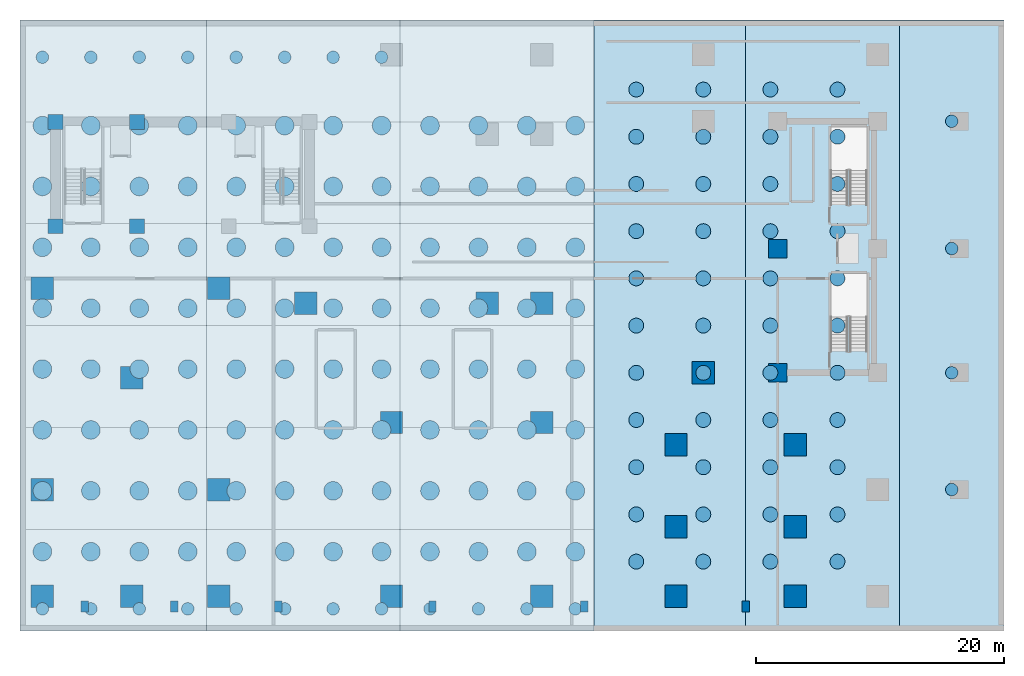
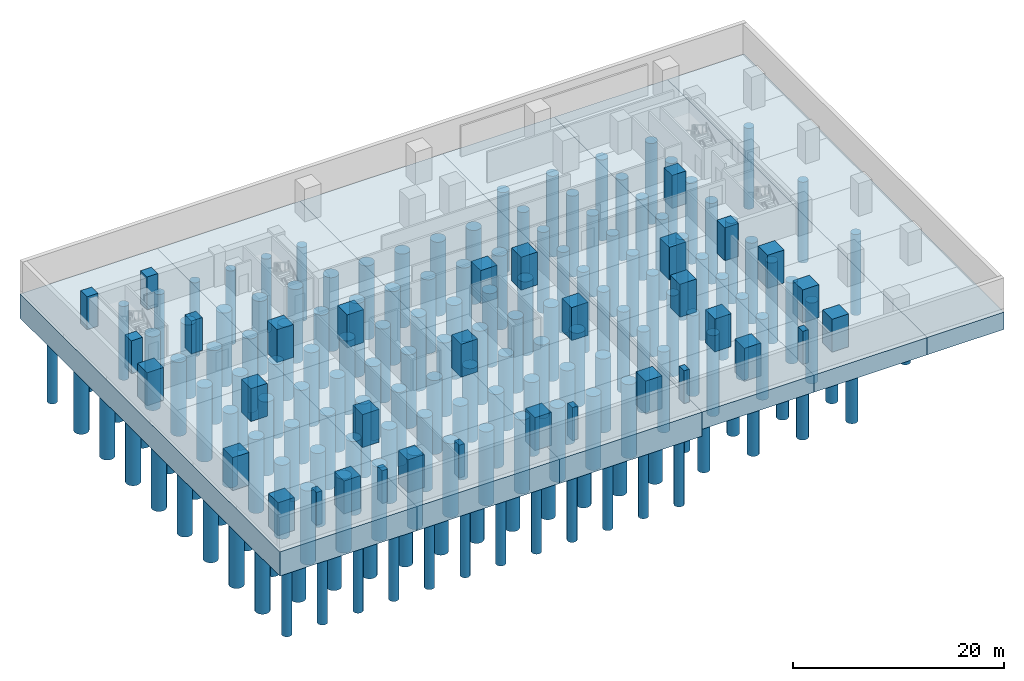
# One storey, part 1 of 7: 164 piles, 34 columns, 6 footings.
"""IFC4 building model written with IfcOpenShell, lengths in metres."""

from ifc_helpers import new_model, si_unit, direction, frame, origin, origin_2d, place, context, subcontext, project, spatial, polyline, rectangle, circle, outline, extrude, material, layer, layer_set, material_profile, profile_set, type_object, element, save


model = new_model("IFC4")

# Units and contexts
model_context = context("Model", 3, precision=1e-05, world=origin(), true_north=direction((0.0, 1.0)))
body_context = subcontext(model_context, "Body", "Model", "MODEL_VIEW")
ifc_project = project(units=[si_unit("LENGTHUNIT", "METRE"), si_unit("AREAUNIT", "SQUARE_METRE"), si_unit("VOLUMEUNIT", "CUBIC_METRE"), si_unit("PLANEANGLEUNIT", "RADIAN"), si_unit("MASSUNIT", "GRAM", prefix="KILO")], contexts=[model_context])

# Site, building, storey
site_placement = place(None, origin())
site = spatial("IfcSite", under=ifc_project, at=site_placement, CompositionType="ELEMENT")
building_placement = place(site_placement, origin())
building = spatial("IfcBuilding", under=site, at=building_placement, Name="Kuzgunbayir Cultural Tower", CompositionType="ELEMENT")
storey_placement = place(building_placement, frame((0.0, 0.0, -11.39990234375)))
storey = spatial("IfcBuildingStorey", under=building, at=storey_placement, Name="B03", CompositionType="ELEMENT", Elevation=-11.39990234375)

# Footings
ifc_material_1 = material(Name="Concrete C40/50", Category="concrete")
ifc_layer_1 = layer(ifc_material_1, 2.0)
ifc_layer_set_1 = layer_set([ifc_layer_1], Name="Concrete C40/50")
footing_type_1 = type_object("IfcFootingType", Name="FND-RAFT-200", PredefinedType="CAISSON_FOUNDATION", material=ifc_layer_set_1)
footing_1_placement = place(storey_placement, frame((0.0, 0.0, -2.400146484375)))
element("IfcFooting", 1, at=footing_1_placement, inside=storey, type_object=footing_type_1, Name="Tower 2 and Substructure Foundation Raft Zone 1", PredefinedType="CAISSON_FOUNDATION", context=body_context, shape_type="SweptSolid", body=[
    extrude(outline(polyline([(49.800048828125, 1.199951171875), (62.0, 1.199951171875), (62.0, 50.39990234375), (49.800048828125, 50.39990234375), (49.800048828125, 1.199951171875)])), origin(), (0.0, 0.0, 1.0), 2.0),
])
footing_2_placement = place(storey_placement, frame((0.0, 0.0, -2.400146484375)))
element("IfcFooting", 2, at=footing_2_placement, inside=storey, type_object=footing_type_1, Name="Tower 2 and Substructure Foundation Raft Zone 2", PredefinedType="CAISSON_FOUNDATION", context=body_context, shape_type="SweptSolid", body=[
    extrude(outline(polyline([(62.0, 1.199951171875), (74.39990234375, 1.199951171875), (74.39990234375, 50.39990234375), (62.0, 50.39990234375), (62.0, 1.199951171875)])), origin(), (0.0, 0.0, 1.0), 2.0),
])
footing_3_placement = place(storey_placement, frame((0.0, 0.0, -2.400146484375)))
element("IfcFooting", 3, at=footing_3_placement, inside=storey, type_object=footing_type_1, Name="Tower 2 and Substructure Foundation Raft Zone 3", PredefinedType="CAISSON_FOUNDATION", context=body_context, shape_type="SweptSolid", body=[
    extrude(outline(polyline([(74.39990234375, 1.199951171875), (82.800048828125, 1.199951171875), (82.800048828125, 50.39990234375), (74.39990234375, 50.39990234375), (74.39990234375, 1.199951171875)])), origin(), (0.0, 0.0, 1.0), 2.0),
])
ifc_layer_2 = layer(ifc_material_1, 2.800048828125)
ifc_layer_set_2 = layer_set([ifc_layer_2], Name="Concrete C40/50")
footing_type_2 = type_object("IfcFootingType", Name="FND-RAFT-280", PredefinedType="CAISSON_FOUNDATION", material=ifc_layer_set_2)
footing_4_placement = place(storey_placement, frame((0.0, 0.0, -3.2001953125)))
element("IfcFooting", 4, at=footing_4_placement, inside=storey, type_object=footing_type_2, Name="Tower 1 Piled Foundation Raft Zone 1", PredefinedType="CAISSON_FOUNDATION", context=body_context, shape_type="SweptSolid", body=[
    extrude(outline(polyline([(3.60009765625, 1.199951171875), (18.60009765625, 1.199951171875), (18.60009765625, 50.39990234375), (3.60009765625, 50.39990234375), (3.60009765625, 1.199951171875)])), origin(), (0.0, 0.0, 1.0), 2.800048828125),
])
footing_5_placement = place(storey_placement, frame((0.0, 0.0, -3.2001953125)))
element("IfcFooting", 5, at=footing_5_placement, inside=storey, type_object=footing_type_2, Name="Tower 1 Piled Foundation Raft Zone 2", PredefinedType="CAISSON_FOUNDATION", context=body_context, shape_type="SweptSolid", body=[
    extrude(outline(polyline([(18.60009765625, 1.199951171875), (34.199951171875, 1.199951171875), (34.199951171875, 50.39990234375), (18.60009765625, 50.39990234375), (18.60009765625, 1.199951171875)])), origin(), (0.0, 0.0, 1.0), 2.800048828125),
])
footing_6_placement = place(storey_placement, frame((0.0, 0.0, -3.2001953125)))
element("IfcFooting", 6, at=footing_6_placement, inside=storey, type_object=footing_type_2, Name="Tower 1 Piled Foundation Raft Zone 3", PredefinedType="CAISSON_FOUNDATION", context=body_context, shape_type="SweptSolid", body=[
    extrude(outline(polyline([(34.199951171875, 1.199951171875), (49.800048828125, 1.199951171875), (49.800048828125, 50.39990234375), (34.199951171875, 50.39990234375), (34.199951171875, 1.199951171875)])), origin(), (0.0, 0.0, 1.0), 2.800048828125),
])

# Piles
ifc_material_profile_1 = material_profile(ifc_material_1, circle(Radius=0.75, at=origin_2d()), Name="BORED PILE 1500")
ifc_profile_set_1 = profile_set([ifc_material_profile_1], Name="Concrete C40/50")
pile_type_1 = type_object("IfcPileType", Name="PILE-P1", PredefinedType="BORED", material=ifc_profile_set_1)
for number, where, z_axis, x_axis, name in (
    (7, (5.39990234375, 7.60009765625, -3.050048828125), (0.0, 0.0, -1.0), (1.0, 0.0, 0.0), "Bored Pile PILE-P1-001"),
    (8, (5.39990234375, 12.5, -3.050048828125), (0.0, 0.0, -1.0), (1.0, 0.0, 0.0), "Bored Pile PILE-P1-002"),
    (9, (5.39990234375, 17.39990234375, -3.050048828125), (0.0, 0.0, -1.0), (1.0, 0.0, 0.0), "Bored Pile PILE-P1-003"),
    (10, (5.39990234375, 22.300048828125, -3.050048828125), (0.0, 0.0, -1.0), (1.0, 0.0, 0.0), "Bored Pile PILE-P1-004"),
    (11, (5.39990234375, 27.199951171875, -3.050048828125), (0.0, 0.0, -1.0), (1.0, 0.0, 0.0), "Bored Pile PILE-P1-005"),
    (12, (5.39990234375, 32.10009765625, -3.050048828125), (0.0, 0.0, -1.0), (1.0, 0.0, 0.0), "Bored Pile PILE-P1-006"),
    (13, (5.39990234375, 37.0, -3.050048828125), (0.0, 0.0, -1.0), (1.0, 0.0, 0.0), "Bored Pile PILE-P1-007"),
    (14, (5.39990234375, 41.89990234375, -3.050048828125), (0.0, 0.0, -1.0), (1.0, 0.0, 0.0), "Bored Pile PILE-P1-008"),
    (15, (9.300048828125, 7.60009765625, -3.050048828125), (0.0, 0.0, -1.0), (1.0, 0.0, 0.0), "Bored Pile PILE-P1-009"),
    (16, (9.300048828125, 12.5, -3.050048828125), (0.0, 0.0, -1.0), (1.0, 0.0, 0.0), "Bored Pile PILE-P1-010"),
    (17, (9.300048828125, 17.39990234375, -3.050048828125), (0.0, 0.0, -1.0), (1.0, 0.0, 0.0), "Bored Pile PILE-P1-011"),
    (18, (9.300048828125, 22.300048828125, -3.050048828125), (0.0, 0.0, -1.0), (1.0, 0.0, 0.0), "Bored Pile PILE-P1-012"),
    (19, (9.300048828125, 27.199951171875, -3.050048828125), (0.0, 0.0, -1.0), (1.0, 0.0, 0.0), "Bored Pile PILE-P1-013"),
    (20, (9.300048828125, 32.10009765625, -3.050048828125), (0.0, 0.0, -1.0), (1.0, 0.0, 0.0), "Bored Pile PILE-P1-014"),
    (21, (9.300048828125, 37.0, -3.050048828125), (0.0, 0.0, -1.0), (1.0, 0.0, 0.0), "Bored Pile PILE-P1-015"),
    (22, (9.300048828125, 41.89990234375, -3.050048828125), (0.0, 0.0, -1.0), (1.0, 0.0, 0.0), "Bored Pile PILE-P1-016"),
    (23, (13.199951171875, 7.60009765625, -3.050048828125), (0.0, 0.0, -1.0), (1.0, 0.0, 0.0), "Bored Pile PILE-P1-017"),
    (24, (13.199951171875, 12.5, -3.050048828125), (0.0, 0.0, -1.0), (1.0, 0.0, 0.0), "Bored Pile PILE-P1-018"),
    (25, (13.199951171875, 17.39990234375, -3.050048828125), (0.0, 0.0, -1.0), (1.0, 0.0, 0.0), "Bored Pile PILE-P1-019"),
    (26, (13.199951171875, 22.300048828125, -3.050048828125), (0.0, 0.0, -1.0), (1.0, 0.0, 0.0), "Bored Pile PILE-P1-020"),
    (27, (13.199951171875, 27.199951171875, -3.050048828125), (0.0, 0.0, -1.0), (1.0, 0.0, 0.0), "Bored Pile PILE-P1-021"),
    (28, (13.199951171875, 32.10009765625, -3.050048828125), (0.0, 0.0, -1.0), (1.0, 0.0, 0.0), "Bored Pile PILE-P1-022"),
    (29, (13.199951171875, 37.0, -3.050048828125), (0.0, 0.0, -1.0), (1.0, 0.0, 0.0), "Bored Pile PILE-P1-023"),
    (30, (13.199951171875, 41.89990234375, -3.050048828125), (0.0, 0.0, -1.0), (1.0, 0.0, 0.0), "Bored Pile PILE-P1-024"),
    (31, (17.10009765625, 7.60009765625, -3.050048828125), (0.0, 0.0, -1.0), (1.0, 0.0, 0.0), "Bored Pile PILE-P1-025"),
    (32, (17.10009765625, 12.5, -3.050048828125), (0.0, 0.0, -1.0), (1.0, 0.0, 0.0), "Bored Pile PILE-P1-026"),
    (33, (17.10009765625, 17.39990234375, -3.050048828125), (0.0, 0.0, -1.0), (1.0, 0.0, 0.0), "Bored Pile PILE-P1-027"),
    (34, (17.10009765625, 22.300048828125, -3.050048828125), (0.0, 0.0, -1.0), (1.0, 0.0, 0.0), "Bored Pile PILE-P1-028"),
    (35, (17.10009765625, 27.199951171875, -3.050048828125), (0.0, 0.0, -1.0), (1.0, 0.0, 0.0), "Bored Pile PILE-P1-029"),
    (36, (17.10009765625, 32.10009765625, -3.050048828125), (0.0, 0.0, -1.0), (1.0, 0.0, 0.0), "Bored Pile PILE-P1-030"),
    (37, (17.10009765625, 37.0, -3.050048828125), (0.0, 0.0, -1.0), (1.0, 0.0, 0.0), "Bored Pile PILE-P1-031"),
    (38, (17.10009765625, 41.89990234375, -3.050048828125), (0.0, 0.0, -1.0), (1.0, 0.0, 0.0), "Bored Pile PILE-P1-032"),
    (39, (21.0, 7.60009765625, -3.050048828125), (0.0, 0.0, -1.0), (1.0, 0.0, 0.0), "Bored Pile PILE-P1-033"),
    (40, (21.0, 12.5, -3.050048828125), (0.0, 0.0, -1.0), (1.0, 0.0, 0.0), "Bored Pile PILE-P1-034"),
    (41, (21.0, 17.39990234375, -3.050048828125), (0.0, 0.0, -1.0), (1.0, 0.0, 0.0), "Bored Pile PILE-P1-035"),
    (42, (21.0, 22.300048828125, -3.050048828125), (0.0, 0.0, -1.0), (1.0, 0.0, 0.0), "Bored Pile PILE-P1-036"),
    (43, (21.0, 27.199951171875, -3.050048828125), (0.0, 0.0, -1.0), (1.0, 0.0, 0.0), "Bored Pile PILE-P1-037"),
    (44, (21.0, 32.10009765625, -3.050048828125), (0.0, 0.0, -1.0), (1.0, 0.0, 0.0), "Bored Pile PILE-P1-038"),
    (45, (21.0, 37.0, -3.050048828125), (0.0, 0.0, -1.0), (1.0, 0.0, 0.0), "Bored Pile PILE-P1-039"),
    (46, (21.0, 41.89990234375, -3.050048828125), (0.0, 0.0, -1.0), (1.0, 0.0, 0.0), "Bored Pile PILE-P1-040"),
    (47, (24.89990234375, 7.60009765625, -3.050048828125), (0.0, 0.0, -1.0), (1.0, 0.0, 0.0), "Bored Pile PILE-P1-041"),
    (48, (24.89990234375, 12.5, -3.050048828125), (0.0, 0.0, -1.0), (1.0, 0.0, 0.0), "Bored Pile PILE-P1-042"),
    (49, (24.89990234375, 17.39990234375, -3.050048828125), (0.0, 0.0, -1.0), (1.0, 0.0, 0.0), "Bored Pile PILE-P1-043"),
    (50, (24.89990234375, 22.300048828125, -3.050048828125), (0.0, 0.0, -1.0), (1.0, 0.0, 0.0), "Bored Pile PILE-P1-044"),
    (51, (24.89990234375, 27.199951171875, -3.050048828125), (0.0, 0.0, -1.0), (1.0, 0.0, 0.0), "Bored Pile PILE-P1-045"),
    (52, (24.89990234375, 32.10009765625, -3.050048828125), (0.0, 0.0, -1.0), (1.0, 0.0, 0.0), "Bored Pile PILE-P1-046"),
    (53, (24.89990234375, 37.0, -3.050048828125), (0.0, 0.0, -1.0), (1.0, 0.0, 0.0), "Bored Pile PILE-P1-047"),
    (54, (24.89990234375, 41.89990234375, -3.050048828125), (0.0, 0.0, -1.0), (1.0, 0.0, 0.0), "Bored Pile PILE-P1-048"),
    (55, (28.800048828125, 7.60009765625, -3.050048828125), (0.0, 0.0, -1.0), (1.0, 0.0, 0.0), "Bored Pile PILE-P1-049"),
    (56, (28.800048828125, 12.5, -3.050048828125), (0.0, 0.0, -1.0), (1.0, 0.0, 0.0), "Bored Pile PILE-P1-050"),
    (57, (28.800048828125, 17.39990234375, -3.050048828125), (0.0, 0.0, -1.0), (1.0, 0.0, 0.0), "Bored Pile PILE-P1-051"),
    (58, (28.800048828125, 22.300048828125, -3.050048828125), (0.0, 0.0, -1.0), (1.0, 0.0, 0.0), "Bored Pile PILE-P1-052"),
    (59, (28.800048828125, 27.199951171875, -3.050048828125), (0.0, 0.0, -1.0), (1.0, 0.0, 0.0), "Bored Pile PILE-P1-053"),
    (60, (28.800048828125, 32.10009765625, -3.050048828125), (0.0, 0.0, -1.0), (1.0, 0.0, 0.0), "Bored Pile PILE-P1-054"),
    (61, (28.800048828125, 37.0, -3.050048828125), (0.0, 0.0, -1.0), (1.0, 0.0, 0.0), "Bored Pile PILE-P1-055"),
    (62, (28.800048828125, 41.89990234375, -3.050048828125), (0.0, 0.0, -1.0), (1.0, 0.0, 0.0), "Bored Pile PILE-P1-056"),
    (63, (32.699951171875, 7.60009765625, -3.050048828125), (0.0, 0.0, -1.0), (1.0, 0.0, 0.0), "Bored Pile PILE-P1-057"),
    (64, (32.699951171875, 12.5, -3.050048828125), (0.0, 0.0, -1.0), (1.0, 0.0, 0.0), "Bored Pile PILE-P1-058"),
    (65, (32.699951171875, 17.39990234375, -3.050048828125), (0.0, 0.0, -1.0), (1.0, 0.0, 0.0), "Bored Pile PILE-P1-059"),
    (66, (32.699951171875, 22.300048828125, -3.050048828125), (0.0, 0.0, -1.0), (1.0, 0.0, 0.0), "Bored Pile PILE-P1-060"),
    (67, (32.699951171875, 27.199951171875, -3.050048828125), (0.0, 0.0, -1.0), (1.0, 0.0, 0.0), "Bored Pile PILE-P1-061"),
    (68, (32.699951171875, 32.10009765625, -3.050048828125), (0.0, 0.0, -1.0), (1.0, 0.0, 0.0), "Bored Pile PILE-P1-062"),
    (69, (32.699951171875, 37.0, -3.050048828125), (0.0, 0.0, -1.0), (1.0, 0.0, 0.0), "Bored Pile PILE-P1-063"),
    (70, (32.699951171875, 41.89990234375, -3.050048828125), (0.0, 0.0, -1.0), (1.0, 0.0, 0.0), "Bored Pile PILE-P1-064"),
    (71, (36.60009765625, 7.60009765625, -3.050048828125), (0.0, 0.0, -1.0), (1.0, 0.0, 0.0), "Bored Pile PILE-P1-065"),
    (72, (36.60009765625, 12.5, -3.050048828125), (0.0, 0.0, -1.0), (1.0, 0.0, 0.0), "Bored Pile PILE-P1-066"),
    (73, (36.60009765625, 17.39990234375, -3.050048828125), (0.0, 0.0, -1.0), (1.0, 0.0, 0.0), "Bored Pile PILE-P1-067"),
    (74, (36.60009765625, 22.300048828125, -3.050048828125), (0.0, 0.0, -1.0), (1.0, 0.0, 0.0), "Bored Pile PILE-P1-068"),
    (75, (36.60009765625, 27.199951171875, -3.050048828125), (0.0, 0.0, -1.0), (1.0, 0.0, 0.0), "Bored Pile PILE-P1-069"),
    (76, (36.60009765625, 32.10009765625, -3.050048828125), (0.0, 0.0, -1.0), (1.0, 0.0, 0.0), "Bored Pile PILE-P1-070"),
    (77, (36.60009765625, 37.0, -3.050048828125), (0.0, 0.0, -1.0), (1.0, 0.0, 0.0), "Bored Pile PILE-P1-071"),
    (78, (36.60009765625, 41.89990234375, -3.050048828125), (0.0, 0.0, -1.0), (1.0, 0.0, 0.0), "Bored Pile PILE-P1-072"),
    (79, (40.5, 7.60009765625, -3.050048828125), (0.0, 0.0, -1.0), (1.0, 0.0, 0.0), "Bored Pile PILE-P1-073"),
    (80, (40.5, 12.5, -3.050048828125), (0.0, 0.0, -1.0), (1.0, 0.0, 0.0), "Bored Pile PILE-P1-074"),
    (81, (40.5, 17.39990234375, -3.050048828125), (0.0, 0.0, -1.0), (1.0, 0.0, 0.0), "Bored Pile PILE-P1-075"),
    (82, (40.5, 22.300048828125, -3.050048828125), (0.0, 0.0, -1.0), (1.0, 0.0, 0.0), "Bored Pile PILE-P1-076"),
    (83, (40.5, 27.199951171875, -3.050048828125), (0.0, 0.0, -1.0), (1.0, 0.0, 0.0), "Bored Pile PILE-P1-077"),
    (84, (40.5, 32.10009765625, -3.050048828125), (0.0, 0.0, -1.0), (1.0, 0.0, 0.0), "Bored Pile PILE-P1-078"),
    (85, (40.5, 37.0, -3.050048828125), (0.0, 0.0, -1.0), (1.0, 0.0, 0.0), "Bored Pile PILE-P1-079"),
    (86, (40.5, 41.89990234375, -3.050048828125), (0.0, 0.0, -1.0), (1.0, 0.0, 0.0), "Bored Pile PILE-P1-080"),
    (87, (44.39990234375, 7.60009765625, -3.050048828125), (0.0, 0.0, -1.0), (1.0, 0.0, 0.0), "Bored Pile PILE-P1-081"),
    (88, (44.39990234375, 12.5, -3.050048828125), (0.0, 0.0, -1.0), (1.0, 0.0, 0.0), "Bored Pile PILE-P1-082"),
    (89, (44.39990234375, 17.39990234375, -3.050048828125), (0.0, 0.0, -1.0), (1.0, 0.0, 0.0), "Bored Pile PILE-P1-083"),
    (90, (44.39990234375, 22.300048828125, -3.050048828125), (0.0, 0.0, -1.0), (1.0, 0.0, 0.0), "Bored Pile PILE-P1-084"),
    (91, (44.39990234375, 27.199951171875, -3.050048828125), (0.0, 0.0, -1.0), (1.0, 0.0, 0.0), "Bored Pile PILE-P1-085"),
    (92, (44.39990234375, 32.10009765625, -3.050048828125), (0.0, 0.0, -1.0), (1.0, 0.0, 0.0), "Bored Pile PILE-P1-086"),
    (93, (44.39990234375, 37.0, -3.050048828125), (0.0, 0.0, -1.0), (1.0, 0.0, 0.0), "Bored Pile PILE-P1-087"),
    (94, (44.39990234375, 41.89990234375, -3.050048828125), (0.0, 0.0, -1.0), (1.0, 0.0, 0.0), "Bored Pile PILE-P1-088"),
    (95, (48.300048828125, 7.60009765625, -3.050048828125), (0.0, 0.0, -1.0), (1.0, 0.0, 0.0), "Bored Pile PILE-P1-089"),
    (96, (48.300048828125, 12.5, -3.050048828125), (0.0, 0.0, -1.0), (1.0, 0.0, 0.0), "Bored Pile PILE-P1-090"),
    (97, (48.300048828125, 17.39990234375, -3.050048828125), (0.0, 0.0, -1.0), (1.0, 0.0, 0.0), "Bored Pile PILE-P1-091"),
    (98, (48.300048828125, 22.300048828125, -3.050048828125), (0.0, 0.0, -1.0), (1.0, 0.0, 0.0), "Bored Pile PILE-P1-092"),
    (99, (48.300048828125, 27.199951171875, -3.050048828125), (0.0, 0.0, -1.0), (1.0, 0.0, 0.0), "Bored Pile PILE-P1-093"),
    (100, (48.300048828125, 32.10009765625, -3.050048828125), (0.0, 0.0, -1.0), (1.0, 0.0, 0.0), "Bored Pile PILE-P1-094"),
    (101, (48.300048828125, 37.0, -3.050048828125), (0.0, 0.0, -1.0), (1.0, 0.0, 0.0), "Bored Pile PILE-P1-095"),
    (102, (48.300048828125, 41.89990234375, -3.050048828125), (0.0, 0.0, -1.0), (1.0, 0.0, 0.0), "Bored Pile PILE-P1-096"),
):
    element("IfcPile", number, at=place(storey_placement, frame(where, z_axis=z_axis, x_axis=x_axis)), inside=storey, type_object=pile_type_1, Name=name, PredefinedType="BORED", context=body_context, shape_type="SweptSolid", body=[
        extrude(circle(Radius=0.75, at=origin_2d()), origin(), (0.0, 0.0, 1.0), 8.550048828125),
    ])
ifc_material_profile_2 = material_profile(ifc_material_1, circle(Radius=0.60009765625, at=origin_2d()), Name="BORED PILE 1200")
ifc_profile_set_2 = profile_set([ifc_material_profile_2], Name="Concrete C40/50")
pile_type_2 = type_object("IfcPileType", Name="PILE-P2", PredefinedType="BORED", material=ifc_profile_set_2)
for number, where, z_axis, x_axis, name in (
    (103, (53.199951171875, 6.800048828125, -2.25), (0.0, 0.0, -1.0), (1.0, 0.0, 0.0), "Bored Pile PILE-P2-001"),
    (104, (53.199951171875, 10.60009765625, -2.25), (0.0, 0.0, -1.0), (1.0, 0.0, 0.0), "Bored Pile PILE-P2-002"),
    (105, (53.199951171875, 14.39990234375, -2.25), (0.0, 0.0, -1.0), (1.0, 0.0, 0.0), "Bored Pile PILE-P2-003"),
    (106, (53.199951171875, 18.199951171875, -2.25), (0.0, 0.0, -1.0), (1.0, 0.0, 0.0), "Bored Pile PILE-P2-004"),
    (107, (53.199951171875, 22.0, -2.25), (0.0, 0.0, -1.0), (1.0, 0.0, 0.0), "Bored Pile PILE-P2-005"),
    (108, (53.199951171875, 25.800048828125, -2.25), (0.0, 0.0, -1.0), (1.0, 0.0, 0.0), "Bored Pile PILE-P2-006"),
    (109, (53.199951171875, 29.60009765625, -2.25), (0.0, 0.0, -1.0), (1.0, 0.0, 0.0), "Bored Pile PILE-P2-007"),
    (110, (53.199951171875, 33.39990234375, -2.25), (0.0, 0.0, -1.0), (1.0, 0.0, 0.0), "Bored Pile PILE-P2-008"),
    (111, (53.199951171875, 37.199951171875, -2.25), (0.0, 0.0, -1.0), (1.0, 0.0, 0.0), "Bored Pile PILE-P2-009"),
    (112, (53.199951171875, 41.0, -2.25), (0.0, 0.0, -1.0), (1.0, 0.0, 0.0), "Bored Pile PILE-P2-010"),
    (113, (53.199951171875, 44.800048828125, -2.25), (0.0, 0.0, -1.0), (1.0, 0.0, 0.0), "Bored Pile PILE-P2-011"),
    (114, (58.60009765625, 6.800048828125, -2.25), (0.0, 0.0, -1.0), (1.0, 0.0, 0.0), "Bored Pile PILE-P2-012"),
    (115, (58.60009765625, 10.60009765625, -2.25), (0.0, 0.0, -1.0), (1.0, 0.0, 0.0), "Bored Pile PILE-P2-013"),
    (116, (58.60009765625, 14.39990234375, -2.25), (0.0, 0.0, -1.0), (1.0, 0.0, 0.0), "Bored Pile PILE-P2-014"),
    (117, (58.60009765625, 18.199951171875, -2.25), (0.0, 0.0, -1.0), (1.0, 0.0, 0.0), "Bored Pile PILE-P2-015"),
    (118, (58.60009765625, 22.0, -2.25), (0.0, 0.0, -1.0), (1.0, 0.0, 0.0), "Bored Pile PILE-P2-016"),
    (119, (58.60009765625, 25.800048828125, -2.25), (0.0, 0.0, -1.0), (1.0, 0.0, 0.0), "Bored Pile PILE-P2-017"),
    (120, (58.60009765625, 29.60009765625, -2.25), (0.0, 0.0, -1.0), (1.0, 0.0, 0.0), "Bored Pile PILE-P2-018"),
    (121, (58.60009765625, 33.39990234375, -2.25), (0.0, 0.0, -1.0), (1.0, 0.0, 0.0), "Bored Pile PILE-P2-019"),
    (122, (58.60009765625, 37.199951171875, -2.25), (0.0, 0.0, -1.0), (1.0, 0.0, 0.0), "Bored Pile PILE-P2-020"),
    (123, (58.60009765625, 41.0, -2.25), (0.0, 0.0, -1.0), (1.0, 0.0, 0.0), "Bored Pile PILE-P2-021"),
    (124, (58.60009765625, 44.800048828125, -2.25), (0.0, 0.0, -1.0), (1.0, 0.0, 0.0), "Bored Pile PILE-P2-022"),
    (125, (64.0, 6.800048828125, -2.25), (0.0, 0.0, -1.0), (1.0, 0.0, 0.0), "Bored Pile PILE-P2-023"),
    (126, (64.0, 10.60009765625, -2.25), (0.0, 0.0, -1.0), (1.0, 0.0, 0.0), "Bored Pile PILE-P2-024"),
    (127, (64.0, 14.39990234375, -2.25), (0.0, 0.0, -1.0), (1.0, 0.0, 0.0), "Bored Pile PILE-P2-025"),
    (128, (64.0, 18.199951171875, -2.25), (0.0, 0.0, -1.0), (1.0, 0.0, 0.0), "Bored Pile PILE-P2-026"),
    (129, (64.0, 22.0, -2.25), (0.0, 0.0, -1.0), (1.0, 0.0, 0.0), "Bored Pile PILE-P2-027"),
    (130, (64.0, 25.800048828125, -2.25), (0.0, 0.0, -1.0), (1.0, 0.0, 0.0), "Bored Pile PILE-P2-028"),
    (131, (64.0, 29.60009765625, -2.25), (0.0, 0.0, -1.0), (1.0, 0.0, 0.0), "Bored Pile PILE-P2-029"),
    (132, (64.0, 33.39990234375, -2.25), (0.0, 0.0, -1.0), (1.0, 0.0, 0.0), "Bored Pile PILE-P2-030"),
    (133, (64.0, 37.199951171875, -2.25), (0.0, 0.0, -1.0), (1.0, 0.0, 0.0), "Bored Pile PILE-P2-031"),
    (134, (64.0, 41.0, -2.25), (0.0, 0.0, -1.0), (1.0, 0.0, 0.0), "Bored Pile PILE-P2-032"),
    (135, (64.0, 44.800048828125, -2.25), (0.0, 0.0, -1.0), (1.0, 0.0, 0.0), "Bored Pile PILE-P2-033"),
    (136, (69.39990234375, 6.800048828125, -2.25), (0.0, 0.0, -1.0), (1.0, 0.0, 0.0), "Bored Pile PILE-P2-034"),
    (137, (69.39990234375, 10.60009765625, -2.25), (0.0, 0.0, -1.0), (1.0, 0.0, 0.0), "Bored Pile PILE-P2-035"),
    (138, (69.39990234375, 14.39990234375, -2.25), (0.0, 0.0, -1.0), (1.0, 0.0, 0.0), "Bored Pile PILE-P2-036"),
    (139, (69.39990234375, 18.199951171875, -2.25), (0.0, 0.0, -1.0), (1.0, 0.0, 0.0), "Bored Pile PILE-P2-037"),
    (140, (69.39990234375, 22.0, -2.25), (0.0, 0.0, -1.0), (1.0, 0.0, 0.0), "Bored Pile PILE-P2-038"),
    (141, (69.39990234375, 25.800048828125, -2.25), (0.0, 0.0, -1.0), (1.0, 0.0, 0.0), "Bored Pile PILE-P2-039"),
    (142, (69.39990234375, 29.60009765625, -2.25), (0.0, 0.0, -1.0), (1.0, 0.0, 0.0), "Bored Pile PILE-P2-040"),
    (143, (69.39990234375, 33.39990234375, -2.25), (0.0, 0.0, -1.0), (1.0, 0.0, 0.0), "Bored Pile PILE-P2-041"),
    (144, (69.39990234375, 37.199951171875, -2.25), (0.0, 0.0, -1.0), (1.0, 0.0, 0.0), "Bored Pile PILE-P2-042"),
    (145, (69.39990234375, 41.0, -2.25), (0.0, 0.0, -1.0), (1.0, 0.0, 0.0), "Bored Pile PILE-P2-043"),
    (146, (69.39990234375, 44.800048828125, -2.25), (0.0, 0.0, -1.0), (1.0, 0.0, 0.0), "Bored Pile PILE-P2-044"),
):
    element("IfcPile", number, at=place(storey_placement, frame(where, z_axis=z_axis, x_axis=x_axis)), inside=storey, type_object=pile_type_2, Name=name, PredefinedType="BORED", context=body_context, shape_type="SweptSolid", body=[
        extrude(circle(Radius=0.60009765625, at=origin_2d()), origin(), (0.0, 0.0, 1.0), 9.35009765625),
    ])
ifc_material_profile_3 = material_profile(ifc_material_1, circle(Radius=0.5, at=origin_2d()), Name="BORED PILE 1000")
ifc_profile_set_3 = profile_set([ifc_material_profile_3], Name="Concrete C40/50")
pile_type_3 = type_object("IfcPileType", Name="PILE-P3", PredefinedType="BORED", material=ifc_profile_set_3)
for number, where, z_axis, x_axis, name in (
    (147, (5.39990234375, 3.0, -3.050048828125), (0.0, 0.0, -1.0), (1.0, 0.0, 0.0), "Bored Pile PILE-P3-001"),
    (148, (9.300048828125, 3.0, -3.050048828125), (0.0, 0.0, -1.0), (1.0, 0.0, 0.0), "Bored Pile PILE-P3-002"),
    (149, (13.199951171875, 3.0, -3.050048828125), (0.0, 0.0, -1.0), (1.0, 0.0, 0.0), "Bored Pile PILE-P3-003"),
    (150, (17.10009765625, 3.0, -3.050048828125), (0.0, 0.0, -1.0), (1.0, 0.0, 0.0), "Bored Pile PILE-P3-004"),
    (151, (21.0, 3.0, -3.050048828125), (0.0, 0.0, -1.0), (1.0, 0.0, 0.0), "Bored Pile PILE-P3-005"),
    (152, (24.89990234375, 3.0, -3.050048828125), (0.0, 0.0, -1.0), (1.0, 0.0, 0.0), "Bored Pile PILE-P3-006"),
    (153, (28.800048828125, 3.0, -3.050048828125), (0.0, 0.0, -1.0), (1.0, 0.0, 0.0), "Bored Pile PILE-P3-007"),
    (154, (32.699951171875, 3.0, -3.050048828125), (0.0, 0.0, -1.0), (1.0, 0.0, 0.0), "Bored Pile PILE-P3-008"),
    (155, (36.60009765625, 3.0, -3.050048828125), (0.0, 0.0, -1.0), (1.0, 0.0, 0.0), "Bored Pile PILE-P3-009"),
    (156, (40.5, 3.0, -3.050048828125), (0.0, 0.0, -1.0), (1.0, 0.0, 0.0), "Bored Pile PILE-P3-010"),
    (157, (44.39990234375, 3.0, -3.050048828125), (0.0, 0.0, -1.0), (1.0, 0.0, 0.0), "Bored Pile PILE-P3-011"),
    (158, (48.300048828125, 3.0, -3.050048828125), (0.0, 0.0, -1.0), (1.0, 0.0, 0.0), "Bored Pile PILE-P3-012"),
    (159, (5.39990234375, 47.39990234375, -3.050048828125), (0.0, 0.0, -1.0), (1.0, 0.0, 0.0), "Bored Pile PILE-P3-013"),
    (160, (9.300048828125, 47.39990234375, -3.050048828125), (0.0, 0.0, -1.0), (1.0, 0.0, 0.0), "Bored Pile PILE-P3-014"),
    (161, (13.199951171875, 47.39990234375, -3.050048828125), (0.0, 0.0, -1.0), (1.0, 0.0, 0.0), "Bored Pile PILE-P3-015"),
    (162, (17.10009765625, 47.39990234375, -3.050048828125), (0.0, 0.0, -1.0), (1.0, 0.0, 0.0), "Bored Pile PILE-P3-016"),
    (163, (21.0, 47.39990234375, -3.050048828125), (0.0, 0.0, -1.0), (1.0, 0.0, 0.0), "Bored Pile PILE-P3-017"),
    (164, (24.89990234375, 47.39990234375, -3.050048828125), (0.0, 0.0, -1.0), (1.0, 0.0, 0.0), "Bored Pile PILE-P3-018"),
    (165, (28.800048828125, 47.39990234375, -3.050048828125), (0.0, 0.0, -1.0), (1.0, 0.0, 0.0), "Bored Pile PILE-P3-019"),
    (166, (32.699951171875, 47.39990234375, -3.050048828125), (0.0, 0.0, -1.0), (1.0, 0.0, 0.0), "Bored Pile PILE-P3-020"),
):
    element("IfcPile", number, at=place(storey_placement, frame(where, z_axis=z_axis, x_axis=x_axis)), inside=storey, type_object=pile_type_3, Name=name, PredefinedType="BORED", context=body_context, shape_type="SweptSolid", body=[
        extrude(circle(Radius=0.5, at=origin_2d()), origin(), (0.0, 0.0, 1.0), 8.550048828125),
    ])
for number, where, z_axis, x_axis, name in (
    (167, (78.60009765625, 12.60009765625, -2.25), (0.0, 0.0, -1.0), (1.0, 0.0, 0.0), "Bored Pile PILE-P3-021"),
    (168, (78.60009765625, 22.0, -2.25), (0.0, 0.0, -1.0), (1.0, 0.0, 0.0), "Bored Pile PILE-P3-022"),
    (169, (78.60009765625, 32.0, -2.25), (0.0, 0.0, -1.0), (1.0, 0.0, 0.0), "Bored Pile PILE-P3-023"),
    (170, (78.60009765625, 42.25, -2.25), (0.0, 0.0, -1.0), (1.0, 0.0, 0.0), "Bored Pile PILE-P3-024"),
):
    element("IfcPile", number, at=place(storey_placement, frame(where, z_axis=z_axis, x_axis=x_axis)), inside=storey, type_object=pile_type_3, Name=name, PredefinedType="BORED", context=body_context, shape_type="SweptSolid", body=[
        extrude(circle(Radius=0.5, at=origin_2d()), origin(), (0.0, 0.0, 1.0), 9.35009765625),
    ])

# Columns
ifc_material_2 = material(Name="Concrete C60/75", Category="concrete")
ifc_material_profile_4 = material_profile(ifc_material_2, rectangle(XDim=1.199951171875, YDim=1.199951171875, at=origin_2d()), Name="RC 1200x1200")
ifc_profile_set_4 = profile_set([ifc_material_profile_4], Name="Concrete C60/75")
column_type_1 = type_object("IfcColumnType", Name="COL-CORE-1200", PredefinedType="COLUMN", material=ifc_profile_set_4)
for number, where, z_axis, x_axis, name in (
    (171, (6.449951171875, 33.800048828125, 0.0), (0.0, 0.0, 1.0), (1.0, 0.0, 0.0), "B03 T1 Core Boundary Column CC1-1"),
    (172, (13.0, 33.800048828125, 0.0), (0.0, 0.0, 1.0), (1.0, 0.0, 0.0), "B03 T1 Core Boundary Column CC1-2"),
    (173, (6.449951171875, 42.199951171875, 0.0), (0.0, 0.0, 1.0), (1.0, 0.0, 0.0), "B03 T1 Core Boundary Column CC1-5"),
    (174, (13.0, 42.199951171875, 0.0), (0.0, 0.0, 1.0), (1.0, 0.0, 0.0), "B03 T1 Core Boundary Column CC1-6"),
):
    element("IfcColumn", number, at=place(storey_placement, frame(where, z_axis=z_axis, x_axis=x_axis)), inside=storey, type_object=column_type_1, Name=name, PredefinedType="COLUMN", context=body_context, shape_type="SweptSolid", body=[
        extrude(rectangle(XDim=1.199951171875, YDim=1.199951171875, at=origin_2d()), origin(), (0.0, 0.0, 1.0), 3.7998046875),
    ])
ifc_material_profile_5 = material_profile(ifc_material_2, rectangle(XDim=1.5, YDim=1.5, at=origin_2d()), Name="RC 1500x1500")
ifc_profile_set_5 = profile_set([ifc_material_profile_5], Name="Concrete C60/75")
column_type_2 = type_object("IfcColumnType", Name="COL-MEGA-1500", PredefinedType="COLUMN", material=ifc_profile_set_5)
for number, where, z_axis, x_axis, name in (
    (175, (64.60009765625, 22.0, 0.0), (0.0, 0.0, 1.0), (1.0, 0.0, 0.0), "B03 T2 Core Boundary Column CC2-1"),
    (176, (64.60009765625, 32.0, 0.0), (0.0, 0.0, 1.0), (1.0, 0.0, 0.0), "B03 T2 Core Boundary Column CC2-3"),
):
    element("IfcColumn", number, at=place(storey_placement, frame(where, z_axis=z_axis, x_axis=x_axis)), inside=storey, type_object=column_type_2, Name=name, PredefinedType="COLUMN", context=body_context, shape_type="SweptSolid", body=[
        extrude(rectangle(XDim=1.5, YDim=1.5, at=origin_2d()), origin(), (0.0, 0.0, 1.0), 3.7998046875),
    ])
ifc_material_profile_6 = material_profile(ifc_material_2, rectangle(XDim=1.800048828125, YDim=1.800048828125, at=origin_2d()), Name="RC 1800x1800")
ifc_profile_set_6 = profile_set([ifc_material_profile_6], Name="Concrete C60/75")
column_type_3 = type_object("IfcColumnType", Name="COL-MEGA-1800", PredefinedType="COLUMN", material=ifc_profile_set_6)
for number, where, z_axis, x_axis, name in (
    (177, (5.39990234375, 12.60009765625, 0.0), (0.0, 0.0, 1.0), (1.0, 0.0, 0.0), "B03 Podium Mega-Column PC-T1A-SW"),
    (178, (19.60009765625, 12.60009765625, 0.0), (0.0, 0.0, 1.0), (1.0, 0.0, 0.0), "B03 Podium Mega-Column PC-T1A-SE"),
    (179, (5.39990234375, 28.800048828125, 0.0), (0.0, 0.0, 1.0), (1.0, 0.0, 0.0), "B03 Podium Mega-Column PC-T1A-NW"),
    (180, (19.60009765625, 28.800048828125, 0.0), (0.0, 0.0, 1.0), (1.0, 0.0, 0.0), "B03 Podium Mega-Column PC-T1A-NE"),
    (181, (26.60009765625, 27.60009765625, 0.0), (0.0, 0.0, 1.0), (1.0, 0.0, 0.0), "B03 Podium Mega-Column PC-T1B-1S"),
    (182, (41.199951171875, 27.60009765625, 0.0), (0.0, 0.0, 1.0), (1.0, 0.0, 0.0), "B03 Podium Mega-Column PC-T1B-4S"),
    (183, (45.60009765625, 27.60009765625, 0.0), (0.0, 0.0, 1.0), (1.0, 0.0, 0.0), "B03 Podium Mega-Column PC-T1B-5S"),
    (184, (58.60009765625, 22.0, 0.0), (0.0, 0.0, 1.0), (1.0, 0.0, 0.0), "B03 Podium Mega-Column PC-T2A-SW"),
    (185, (56.39990234375, 9.60009765625, 0.0), (0.0, 0.0, 1.0), (1.0, 0.0, 0.0), "B03 Podium Mega-Column PC-T2B-SW"),
    (186, (66.0, 9.60009765625, 0.0), (0.0, 0.0, 1.0), (1.0, 0.0, 0.0), "B03 Podium Mega-Column PC-T2B-SE"),
    (187, (56.39990234375, 16.199951171875, 0.0), (0.0, 0.0, 1.0), (1.0, 0.0, 0.0), "B03 Podium Mega-Column PC-T2B-MW"),
    (188, (66.0, 16.199951171875, 0.0), (0.0, 0.0, 1.0), (1.0, 0.0, 0.0), "B03 Podium Mega-Column PC-T2B-ME"),
    (189, (5.39990234375, 4.0, 0.0), (0.0, 0.0, 1.0), (1.0, 0.0, 0.0), "B03 Podium Mega-Column PC-P01"),
    (190, (12.60009765625, 4.0, 0.0), (0.0, 0.0, 1.0), (1.0, 0.0, 0.0), "B03 Podium Mega-Column PC-P02"),
    (191, (19.60009765625, 4.0, 0.0), (0.0, 0.0, 1.0), (1.0, 0.0, 0.0), "B03 Podium Mega-Column PC-P03"),
    (192, (33.5, 4.0, 0.0), (0.0, 0.0, 1.0), (1.0, 0.0, 0.0), "B03 Podium Mega-Column PC-P04"),
    (193, (45.60009765625, 4.0, 0.0), (0.0, 0.0, 1.0), (1.0, 0.0, 0.0), "B03 Podium Mega-Column PC-P05"),
    (194, (56.39990234375, 4.0, 0.0), (0.0, 0.0, 1.0), (1.0, 0.0, 0.0), "B03 Podium Mega-Column PC-P06"),
    (195, (66.0, 4.0, 0.0), (0.0, 0.0, 1.0), (1.0, 0.0, 0.0), "B03 Podium Mega-Column PC-P07"),
    (196, (12.60009765625, 21.60009765625, 0.0), (0.0, 0.0, 1.0), (1.0, 0.0, 0.0), "B03 Podium Mega-Column PC-P09"),
    (197, (33.5, 18.0, 0.0), (0.0, 0.0, 1.0), (1.0, 0.0, 0.0), "B03 Podium Mega-Column PC-P10"),
    (198, (45.60009765625, 18.0, 0.0), (0.0, 0.0, 1.0), (1.0, 0.0, 0.0), "B03 Podium Mega-Column PC-P11"),
):
    element("IfcColumn", number, at=place(storey_placement, frame(where, z_axis=z_axis, x_axis=x_axis)), inside=storey, type_object=column_type_3, Name=name, PredefinedType="COLUMN", context=body_context, shape_type="SweptSolid", body=[
        extrude(rectangle(XDim=1.800048828125, YDim=1.800048828125, at=origin_2d()), origin(), (0.0, 0.0, 1.0), 3.7998046875),
    ])
ifc_material_profile_7 = material_profile(ifc_material_2, rectangle(XDim=0.60009765625, YDim=0.89990234375, at=origin_2d()), Name="RC 600x900")
ifc_profile_set_7 = profile_set([ifc_material_profile_7], Name="Concrete C60/75")
column_type_4 = type_object("IfcColumnType", Name="COL-PILASTER-INT", PredefinedType="PILASTER", material=ifc_profile_set_7)
for number, where, z_axis, x_axis, name in (
    (199, (8.800048828125, 3.199951171875, 0.0), (0.0, 0.0, 1.0), (1.0, 0.0, 0.0), "B03 South Facade Pilaster 1"),
    (200, (16.0, 3.199951171875, 0.0), (0.0, 0.0, 1.0), (1.0, 0.0, 0.0), "B03 South Facade Pilaster 2"),
    (201, (24.39990234375, 3.199951171875, 0.0), (0.0, 0.0, 1.0), (1.0, 0.0, 0.0), "B03 South Facade Pilaster 3"),
    (202, (36.800048828125, 3.199951171875, 0.0), (0.0, 0.0, 1.0), (1.0, 0.0, 0.0), "B03 South Facade Pilaster 4"),
    (203, (49.0, 3.199951171875, 0.0), (0.0, 0.0, 1.0), (1.0, 0.0, 0.0), "B03 South Facade Pilaster 5"),
    (204, (62.0, 3.199951171875, 0.0), (0.0, 0.0, 1.0), (1.0, 0.0, 0.0), "B03 South Facade Pilaster 6"),
):
    element("IfcColumn", number, at=place(storey_placement, frame(where, z_axis=z_axis, x_axis=x_axis)), inside=storey, type_object=column_type_4, Name=name, PredefinedType="PILASTER", context=body_context, shape_type="SweptSolid", body=[
        extrude(rectangle(XDim=0.60009765625, YDim=0.89990234375, at=origin_2d()), origin(), (0.0, 0.0, 1.0), 3.7998046875),
    ])

save(model, "model.ifc")
